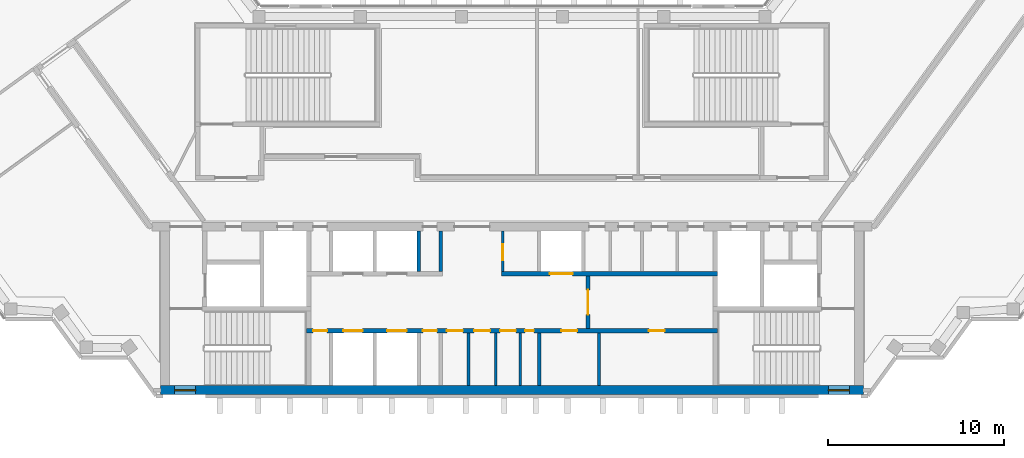
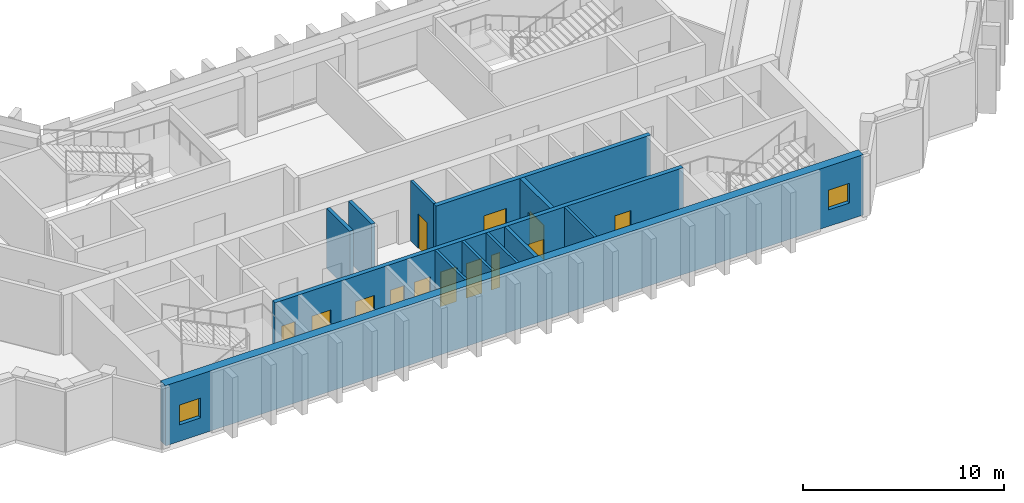
# One storey, part 5 of 9: 13 doors, 12 walls, 2 windows, 15 openings.
"""IFC4 building model written with IfcOpenShell, lengths in metres."""

from ifc_helpers import new_model, si_unit, direction, frame, frame_2d, origin, place, context, subcontext, project, spatial, rectangle, extrude, material, layer, layer_set, type_object, element, fill, save


model = new_model("IFC4")

# Units and contexts
model_context = context("Model", 3, precision=1e-05, world=origin(), true_north=direction((0.0, 1.0)))
body_context = subcontext(model_context, "Body", "Model", "MODEL_VIEW")
ifc_project = project(units=[si_unit("LENGTHUNIT", "METRE"), si_unit("AREAUNIT", "SQUARE_METRE"), si_unit("VOLUMEUNIT", "CUBIC_METRE"), si_unit("PLANEANGLEUNIT", "RADIAN"), si_unit("MASSUNIT", "GRAM", prefix="KILO")], contexts=[model_context])

# Site, building, storey
site_placement = place(None, origin())
site = spatial("IfcSite", under=ifc_project, at=site_placement, CompositionType="ELEMENT")
building_placement = place(site_placement, origin())
building = spatial("IfcBuilding", under=site, at=building_placement, Name="Quipu Civic Tower", CompositionType="ELEMENT")
storey_placement = place(building_placement, frame((0.0, 0.0, 293.0)))
storey = spatial("IfcBuildingStorey", under=building, at=storey_placement, Name="L68", CompositionType="ELEMENT", Elevation=293.0)

# Wall, openings, doors
ifc_material_1 = material(Name="Concrete C70/85", Category="concrete")
ifc_layer_1 = layer(ifc_material_1, 0.25)
ifc_layer_set_1 = layer_set([ifc_layer_1], Name="Concrete C70/85")
wall_type_1 = type_object("IfcWallType", Name="Core wall 250", PredefinedType="SHEAR", material=ifc_layer_set_1)
wall_1_placement = place(storey_placement, frame((11.699951171875, -7.375, 0.0), z_axis=(0.0, 0.0, 1.0), x_axis=(-1.0, 0.0, 0.0)))
wall_1 = element("IfcWall", 1, at=wall_1_placement, inside=storey, type_object=wall_type_1, Name="Core wall", PredefinedType="SHEAR", context=body_context, shape_type="SweptSolid", body=[
    extrude(rectangle(XDim=23.39990234375, YDim=0.25, at=frame_2d((11.699951171875, 0.0))), origin(), (0.0, 0.0, 1.0), 3.64990234375),
])
opening_1_placement = place(wall_1_placement, frame((22.22509765625, 0.0, 0.0)))
opening_1 = element("IfcOpeningElement", 2, at=opening_1_placement, cuts=wall_1, Name="Opening CD-01", PredefinedType="OPENING", context=body_context, shape_type="SweptSolid", body=[
    extrude(rectangle(XDim=0.800048828125, YDim=2.10009765625, at=frame_2d((0.39990234375, 1.050048828125))), frame((0.0, 0.135009765625, 0.0), z_axis=(0.0, -1.0, 0.0), x_axis=(1.0, 0.0, 0.0)), (0.0, 0.0, 1.0), 0.27001953125),
])
opening_2_placement = place(wall_1_placement, frame((20.199951171875, 0.0, 0.0)))
opening_2 = element("IfcOpeningElement", 3, at=opening_2_placement, cuts=wall_1, Name="Opening LD-HL1", PredefinedType="OPENING", context=body_context, shape_type="SweptSolid", body=[
    extrude(rectangle(XDim=1.10009765625, YDim=2.10009765625, at=frame_2d((0.550048828125, 1.050048828125))), frame((0.0, 0.135009765625, 0.0), z_axis=(0.0, -1.0, 0.0), x_axis=(1.0, 0.0, 0.0)), (0.0, 0.0, 1.0), 0.27001953125),
])
opening_3_placement = place(wall_1_placement, frame((17.699951171875, 0.0, 0.0)))
opening_3 = element("IfcOpeningElement", 4, at=opening_3_placement, cuts=wall_1, Name="Opening LD-HL2", PredefinedType="OPENING", context=body_context, shape_type="SweptSolid", body=[
    extrude(rectangle(XDim=1.10009765625, YDim=2.10009765625, at=frame_2d((0.550048828125, 1.050048828125))), frame((0.0, 0.135009765625, 0.0), z_axis=(0.0, -1.0, 0.0), x_axis=(1.0, 0.0, 0.0)), (0.0, 0.0, 1.0), 0.27001953125),
])
opening_4_placement = place(wall_1_placement, frame((15.97509765625, 0.0, 0.0)))
opening_4 = element("IfcOpeningElement", 5, at=opening_4_placement, cuts=wall_1, Name="Opening CD-02", PredefinedType="OPENING", context=body_context, shape_type="SweptSolid", body=[
    extrude(rectangle(XDim=0.800048828125, YDim=2.10009765625, at=frame_2d((0.39990234375, 1.050048828125))), frame((0.0, 0.135009765625, 0.0), z_axis=(0.0, -1.0, 0.0), x_axis=(1.0, 0.0, 0.0)), (0.0, 0.0, 1.0), 0.27001953125),
])
opening_5_placement = place(wall_1_placement, frame((14.5, 0.0, 0.0)))
opening_5 = element("IfcOpeningElement", 6, at=opening_5_placement, cuts=wall_1, Name="Opening CD-03", PredefinedType="OPENING", context=body_context, shape_type="SweptSolid", body=[
    extrude(rectangle(XDim=0.89990234375, YDim=2.10009765625, at=frame_2d((0.449951171875, 1.050048828125))), frame((0.0, 0.135009765625, 0.0), z_axis=(0.0, -1.0, 0.0), x_axis=(1.0, 0.0, 0.0)), (0.0, 0.0, 1.0), 0.27001953125),
])
opening_6_placement = place(wall_1_placement, frame((12.949951171875, 0.0, 0.0)))
opening_6 = element("IfcOpeningElement", 7, at=opening_6_placement, cuts=wall_1, Name="Opening CD-04", PredefinedType="OPENING", context=body_context, shape_type="SweptSolid", body=[
    extrude(rectangle(XDim=0.89990234375, YDim=2.10009765625, at=frame_2d((0.449951171875, 1.050048828125))), frame((0.0, 0.135009765625, 0.0), z_axis=(0.0, -1.0, 0.0), x_axis=(1.0, 0.0, 0.0)), (0.0, 0.0, 1.0), 0.27001953125),
])
opening_7_placement = place(wall_1_placement, frame((11.47509765625, 0.0, 0.0)))
opening_7 = element("IfcOpeningElement", 8, at=opening_7_placement, cuts=wall_1, Name="Opening CD-05", PredefinedType="OPENING", context=body_context, shape_type="SweptSolid", body=[
    extrude(rectangle(XDim=0.89990234375, YDim=2.10009765625, at=frame_2d((0.449951171875, 1.050048828125))), frame((0.0, 0.135009765625, 0.0), z_axis=(0.0, -1.0, 0.0), x_axis=(1.0, 0.0, 0.0)), (0.0, 0.0, 1.0), 0.27001953125),
])
opening_8_placement = place(wall_1_placement, frame((10.449951171875, 0.0, 0.0)))
opening_8 = element("IfcOpeningElement", 9, at=opening_8_placement, cuts=wall_1, Name="Opening CD-06", PredefinedType="OPENING", context=body_context, shape_type="SweptSolid", body=[
    extrude(rectangle(XDim=0.5, YDim=2.10009765625, at=frame_2d((0.25, 1.050048828125))), frame((0.0, 0.135009765625, 0.0), z_axis=(0.0, -1.0, 0.0), x_axis=(1.0, 0.0, 0.0)), (0.0, 0.0, 1.0), 0.27001953125),
])
opening_9_placement = place(wall_1_placement, frame((7.987060546875, 0.0, 0.0)))
opening_9 = element("IfcOpeningElement", 10, at=opening_9_placement, cuts=wall_1, Name="Opening CD-07", PredefinedType="OPENING", context=body_context, shape_type="SweptSolid", body=[
    extrude(rectangle(XDim=0.89990234375, YDim=2.10009765625, at=frame_2d((0.449951171875, 1.050048828125))), frame((0.0, 0.135009765625, 0.0), z_axis=(0.0, -1.0, 0.0), x_axis=(1.0, 0.0, 0.0)), (0.0, 0.0, 1.0), 0.27001953125),
])
opening_10_placement = place(wall_1_placement, frame((3.011962890625, 0.0, 0.0)))
opening_10 = element("IfcOpeningElement", 11, at=opening_10_placement, cuts=wall_1, Name="Opening CD-08", PredefinedType="OPENING", context=body_context, shape_type="SweptSolid", body=[
    extrude(rectangle(XDim=0.89990234375, YDim=2.10009765625, at=frame_2d((0.449951171875, 1.050048828125))), frame((0.0, 0.135009765625, 0.0), z_axis=(0.0, -1.0, 0.0), x_axis=(1.0, 0.0, 0.0)), (0.0, 0.0, 1.0), 0.27001953125),
])
ifc_material_2 = material(Name="Fire rated steel door", Category="steel")
door_type_1 = type_object("IfcDoorType", Name="Fire door FD60 500 x 2100", OperationType="NOTDEFINED", PredefinedType="DOOR", material=ifc_material_2)
door_1_placement = place(opening_8_placement, origin())
door_1 = element("IfcDoor", 12, at=door_1_placement, inside=storey, type_object=door_type_1, Name="Door", OperationType="SINGLE_SWING_LEFT", OverallHeight=2.10009765625, OverallWidth=0.5, PredefinedType="DOOR", context=body_context, shape_type="SweptSolid", body=[
    extrude(rectangle(XDim=0.5, YDim=2.10009765625, at=frame_2d((0.25, 1.050048828125))), frame((0.0, 0.02490234375, 0.0), z_axis=(0.0, -1.0, 0.0), x_axis=(1.0, 0.0, 0.0)), (0.0, 0.0, 1.0), 0.050048828125),
])
fill(opening_8, door_1)
ifc_material_3 = material(Name="Fire rated steel door", Category="steel")
door_type_2 = type_object("IfcDoorType", Name="Fire door FD60 800 x 2100", OperationType="NOTDEFINED", PredefinedType="DOOR", material=ifc_material_3)
door_2_placement = place(opening_1_placement, origin())
door_2 = element("IfcDoor", 13, at=door_2_placement, inside=storey, type_object=door_type_2, Name="Door", OperationType="SINGLE_SWING_RIGHT", OverallHeight=2.10009765625, OverallWidth=0.800048828125, PredefinedType="DOOR", context=body_context, shape_type="SweptSolid", body=[
    extrude(rectangle(XDim=0.800048828125, YDim=2.10009765625, at=frame_2d((0.39990234375, 1.050048828125))), frame((0.0, 0.02490234375, 0.0), z_axis=(0.0, -1.0, 0.0), x_axis=(1.0, 0.0, 0.0)), (0.0, 0.0, 1.0), 0.050048828125),
])
fill(opening_1, door_2)
door_3_placement = place(opening_4_placement, origin())
door_3 = element("IfcDoor", 14, at=door_3_placement, inside=storey, type_object=door_type_2, Name="Door", OperationType="SINGLE_SWING_RIGHT", OverallHeight=2.10009765625, OverallWidth=0.800048828125, PredefinedType="DOOR", context=body_context, shape_type="SweptSolid", body=[
    extrude(rectangle(XDim=0.800048828125, YDim=2.10009765625, at=frame_2d((0.39990234375, 1.050048828125))), frame((0.0, 0.02490234375, 0.0), z_axis=(0.0, -1.0, 0.0), x_axis=(1.0, 0.0, 0.0)), (0.0, 0.0, 1.0), 0.050048828125),
])
fill(opening_4, door_3)
ifc_material_4 = material(Name="Fire rated steel door", Category="steel")
door_type_3 = type_object("IfcDoorType", Name="Fire door FD60 900 x 2100", OperationType="NOTDEFINED", PredefinedType="DOOR", material=ifc_material_4)
door_4_placement = place(opening_5_placement, origin())
door_4 = element("IfcDoor", 15, at=door_4_placement, inside=storey, type_object=door_type_3, Name="WC door", OperationType="SINGLE_SWING_RIGHT", OverallHeight=2.10009765625, OverallWidth=0.89990234375, PredefinedType="DOOR", context=body_context, shape_type="SweptSolid", body=[
    extrude(rectangle(XDim=0.89990234375, YDim=2.10009765625, at=frame_2d((0.449951171875, 1.050048828125))), frame((0.0, 0.02490234375, 0.0), z_axis=(0.0, -1.0, 0.0), x_axis=(1.0, 0.0, 0.0)), (0.0, 0.0, 1.0), 0.050048828125),
])
fill(opening_5, door_4)
door_5_placement = place(opening_6_placement, origin())
door_5 = element("IfcDoor", 16, at=door_5_placement, inside=storey, type_object=door_type_3, Name="WC door", OperationType="SINGLE_SWING_RIGHT", OverallHeight=2.10009765625, OverallWidth=0.89990234375, PredefinedType="DOOR", context=body_context, shape_type="SweptSolid", body=[
    extrude(rectangle(XDim=0.89990234375, YDim=2.10009765625, at=frame_2d((0.449951171875, 1.050048828125))), frame((0.0, 0.02490234375, 0.0), z_axis=(0.0, -1.0, 0.0), x_axis=(1.0, 0.0, 0.0)), (0.0, 0.0, 1.0), 0.050048828125),
])
fill(opening_6, door_5)
door_6_placement = place(opening_7_placement, origin())
door_6 = element("IfcDoor", 17, at=door_6_placement, inside=storey, type_object=door_type_3, Name="WC door", OperationType="SINGLE_SWING_RIGHT", OverallHeight=2.10009765625, OverallWidth=0.89990234375, PredefinedType="DOOR", context=body_context, shape_type="SweptSolid", body=[
    extrude(rectangle(XDim=0.89990234375, YDim=2.10009765625, at=frame_2d((0.449951171875, 1.050048828125))), frame((0.0, 0.02490234375, 0.0), z_axis=(0.0, -1.0, 0.0), x_axis=(1.0, 0.0, 0.0)), (0.0, 0.0, 1.0), 0.050048828125),
])
fill(opening_7, door_6)
door_7_placement = place(opening_9_placement, origin())
door_7 = element("IfcDoor", 18, at=door_7_placement, inside=storey, type_object=door_type_3, Name="Door", OperationType="SINGLE_SWING_LEFT", OverallHeight=2.10009765625, OverallWidth=0.89990234375, PredefinedType="DOOR", context=body_context, shape_type="SweptSolid", body=[
    extrude(rectangle(XDim=0.89990234375, YDim=2.10009765625, at=frame_2d((0.449951171875, 1.050048828125))), frame((0.0, 0.02490234375, 0.0), z_axis=(0.0, -1.0, 0.0), x_axis=(1.0, 0.0, 0.0)), (0.0, 0.0, 1.0), 0.050048828125),
])
fill(opening_9, door_7)
door_8_placement = place(opening_10_placement, origin())
door_8 = element("IfcDoor", 19, at=door_8_placement, inside=storey, type_object=door_type_3, Name="Door", OperationType="SINGLE_SWING_LEFT", OverallHeight=2.10009765625, OverallWidth=0.89990234375, PredefinedType="DOOR", context=body_context, shape_type="SweptSolid", body=[
    extrude(rectangle(XDim=0.89990234375, YDim=2.10009765625, at=frame_2d((0.449951171875, 1.050048828125))), frame((0.0, 0.02490234375, 0.0), z_axis=(0.0, -1.0, 0.0), x_axis=(1.0, 0.0, 0.0)), (0.0, 0.0, 1.0), 0.050048828125),
])
fill(opening_10, door_8)
ifc_material_5 = material(Name="Stainless steel", Category="steel")
door_type_4 = type_object("IfcDoorType", Name="Lift landing door 1100 x 2100", OperationType="DOUBLE_DOOR_SLIDING", PredefinedType="DOOR", material=ifc_material_5)
door_9_placement = place(opening_2_placement, origin())
door_9 = element("IfcDoor", 20, at=door_9_placement, inside=storey, type_object=door_type_4, Name="Landing door HL1", OperationType="DOUBLE_DOOR_SLIDING", OverallHeight=2.10009765625, OverallWidth=1.10009765625, PredefinedType="DOOR", context=body_context, shape_type="SweptSolid", body=[
    extrude(rectangle(XDim=1.10009765625, YDim=2.10009765625, at=frame_2d((0.550048828125, 1.050048828125))), frame((0.0, 0.02490234375, 0.0), z_axis=(0.0, -1.0, 0.0), x_axis=(1.0, 0.0, 0.0)), (0.0, 0.0, 1.0), 0.050048828125),
])
fill(opening_2, door_9)
door_10_placement = place(opening_3_placement, origin())
door_10 = element("IfcDoor", 21, at=door_10_placement, inside=storey, type_object=door_type_4, Name="Landing door HL2", OperationType="DOUBLE_DOOR_SLIDING", OverallHeight=2.10009765625, OverallWidth=1.10009765625, PredefinedType="DOOR", context=body_context, shape_type="SweptSolid", body=[
    extrude(rectangle(XDim=1.10009765625, YDim=2.10009765625, at=frame_2d((0.550048828125, 1.050048828125))), frame((0.0, 0.02490234375, 0.0), z_axis=(0.0, -1.0, 0.0), x_axis=(1.0, 0.0, 0.0)), (0.0, 0.0, 1.0), 0.050048828125),
])
fill(opening_3, door_10)

# Wall, opening, door
wall_2_placement = place(storey_placement, frame((4.324951171875, -7.25, 0.0), z_axis=(0.0, 0.0, 1.0), x_axis=(0.0, 1.0, 0.0)))
wall_2 = element("IfcWall", 22, at=wall_2_placement, inside=storey, type_object=wall_type_1, Name="Core wall", PredefinedType="SHEAR", context=body_context, shape_type="SweptSolid", body=[
    extrude(rectangle(XDim=3.0, YDim=0.25, at=frame_2d((1.5, 0.0))), origin(), (0.0, 0.0, 1.0), 3.64990234375),
])
opening_11_placement = place(wall_2_placement, frame((0.800048828125, 0.0, 0.0)))
opening_11 = element("IfcOpeningElement", 23, at=opening_11_placement, cuts=wall_2, Name="Opening CD-11", PredefinedType="OPENING", context=body_context, shape_type="SweptSolid", body=[
    extrude(rectangle(XDim=1.39990234375, YDim=2.10009765625, at=frame_2d((0.699951171875, 1.050048828125))), frame((0.0, 0.135009765625, 0.0), z_axis=(0.0, -1.0, 0.0), x_axis=(1.0, 0.0, 0.0)), (0.0, 0.0, 1.0), 0.27001953125),
])
ifc_material_6 = material(Name="Fire rated steel door", Category="steel")
door_type_5 = type_object("IfcDoorType", Name="Fire door FD60 double 1400 x 2100", OperationType="NOTDEFINED", PredefinedType="DOOR", material=ifc_material_6)
door_11_placement = place(opening_11_placement, origin())
door_11 = element("IfcDoor", 24, at=door_11_placement, inside=storey, type_object=door_type_5, Name="Hall door", OperationType="DOUBLE_DOOR_SINGLE_SWING", OverallHeight=2.10009765625, OverallWidth=1.39990234375, PredefinedType="DOOR", context=body_context, shape_type="SweptSolid", body=[
    extrude(rectangle(XDim=1.39990234375, YDim=2.10009765625, at=frame_2d((0.699951171875, 1.050048828125))), frame((0.0, 0.02490234375, 0.0), z_axis=(0.0, -1.0, 0.0), x_axis=(1.0, 0.0, 0.0)), (0.0, 0.0, 1.0), 0.050048828125),
])
fill(opening_11, door_11)

wall_3_placement = place(storey_placement, frame((-0.60009765625, -4.125, 0.0), z_axis=(0.0, 0.0, 1.0), x_axis=(1.0, 0.0, 0.0)))
wall_3 = element("IfcWall", 25, at=wall_3_placement, inside=storey, type_object=wall_type_1, Name="Core wall", PredefinedType="SHEAR", context=body_context, shape_type="SweptSolid", body=[
    extrude(rectangle(XDim=12.300048828125, YDim=0.25, at=frame_2d((6.14990234375, 0.0))), origin(), (0.0, 0.0, 1.0), 3.64990234375),
])
opening_12_placement = place(wall_3_placement, frame((2.75, 0.0, 0.0)))
opening_12 = element("IfcOpeningElement", 26, at=opening_12_placement, cuts=wall_3, Name="Opening LD-FF3", PredefinedType="OPENING", context=body_context, shape_type="SweptSolid", body=[
    extrude(rectangle(XDim=1.300048828125, YDim=2.10009765625, at=frame_2d((0.64990234375, 1.050048828125))), frame((0.0, 0.135009765625, 0.0), z_axis=(0.0, -1.0, 0.0), x_axis=(1.0, 0.0, 0.0)), (0.0, 0.0, 1.0), 0.27001953125),
])
ifc_material_7 = material(Name="Stainless steel", Category="steel")
door_type_6 = type_object("IfcDoorType", Name="Lift landing door 1300 x 2100", OperationType="DOUBLE_DOOR_SLIDING", PredefinedType="DOOR", material=ifc_material_7)
door_12_placement = place(opening_12_placement, origin())
door_12 = element("IfcDoor", 27, at=door_12_placement, inside=storey, type_object=door_type_6, Name="Landing door FF3", OperationType="DOUBLE_DOOR_SLIDING", OverallHeight=2.10009765625, OverallWidth=1.300048828125, PredefinedType="DOOR", context=body_context, shape_type="SweptSolid", body=[
    extrude(rectangle(XDim=1.300048828125, YDim=2.10009765625, at=frame_2d((0.64990234375, 1.050048828125))), frame((0.0, 0.02490234375, 0.0), z_axis=(0.0, -1.0, 0.0), x_axis=(1.0, 0.0, 0.0)), (0.0, 0.0, 1.0), 0.050048828125),
])
fill(opening_12, door_12)

# Wall, openings, windows
ifc_material_8 = material(Name="Concrete C70/85", Category="concrete")
ifc_layer_2 = layer(ifc_material_8, 0.5)
ifc_layer_set_2 = layer_set([ifc_layer_2], Name="Concrete C70/85")
wall_type_2 = type_object("IfcWallType", Name="Core wall 500", PredefinedType="SHEAR", material=ifc_layer_set_2)
wall_4_placement = place(storey_placement, frame((-20.0, -10.75, 0.0), z_axis=(0.0, 0.0, 1.0), x_axis=(1.0, 0.0, 0.0)))
wall_4 = element("IfcWall", 28, at=wall_4_placement, inside=storey, type_object=wall_type_2, Name="Core wall", PredefinedType="SHEAR", context=body_context, shape_type="SweptSolid", body=[
    extrude(rectangle(XDim=40.0, YDim=0.5, at=frame_2d((20.0, 0.0))), origin(), (0.0, 0.0, 1.0), 3.64990234375),
])
opening_13_placement = place(wall_4_placement, frame((0.800048828125, 0.0, 1.0)))
opening_13 = element("IfcOpeningElement", 29, at=opening_13_placement, cuts=wall_4, Name="Opening SV-1", PredefinedType="OPENING", context=body_context, shape_type="SweptSolid", body=[
    extrude(rectangle(XDim=1.199951171875, YDim=1.199951171875, at=frame_2d((0.60009765625, 0.60009765625))), frame((0.0, 0.260009765625, 0.0), z_axis=(0.0, -1.0, 0.0), x_axis=(1.0, 0.0, 0.0)), (0.0, 0.0, 1.0), 0.52001953125),
])
opening_14_placement = place(wall_4_placement, frame((38.0, 0.0, 1.0)))
opening_14 = element("IfcOpeningElement", 30, at=opening_14_placement, cuts=wall_4, Name="Opening SV-2", PredefinedType="OPENING", context=body_context, shape_type="SweptSolid", body=[
    extrude(rectangle(XDim=1.199951171875, YDim=1.199951171875, at=frame_2d((0.60009765625, 0.60009765625))), frame((0.0, 0.260009765625, 0.0), z_axis=(0.0, -1.0, 0.0), x_axis=(1.0, 0.0, 0.0)), (0.0, 0.0, 1.0), 0.52001953125),
])
ifc_material_9 = material(Name="Aluminium louvre", Category="aluminium")
window_type = type_object("IfcWindowType", Name="Stair ventilation louvre 1200 x 1200", PartitioningType="SINGLE_PANEL", PredefinedType="WINDOW", material=ifc_material_9)
window_1_placement = place(opening_13_placement, origin())
window_1 = element("IfcWindow", 31, at=window_1_placement, inside=storey, type_object=window_type, Name="Stair ventilation opening", OverallHeight=1.199951171875, OverallWidth=1.199951171875, PartitioningType="SINGLE_PANEL", PredefinedType="WINDOW", context=body_context, shape_type="SweptSolid", body=[
    extrude(rectangle(XDim=1.199951171875, YDim=1.199951171875, at=frame_2d((0.60009765625, 0.60009765625))), frame((0.0, 0.030029296875, 0.0), z_axis=(0.0, -1.0, 0.0), x_axis=(1.0, 0.0, 0.0)), (0.0, 0.0, 1.0), 0.06005859375),
])
fill(opening_13, window_1)
window_2_placement = place(opening_14_placement, origin())
window_2 = element("IfcWindow", 32, at=window_2_placement, inside=storey, type_object=window_type, Name="Stair ventilation opening", OverallHeight=1.199951171875, OverallWidth=1.199951171875, PartitioningType="SINGLE_PANEL", PredefinedType="WINDOW", context=body_context, shape_type="SweptSolid", body=[
    extrude(rectangle(XDim=1.199951171875, YDim=1.199951171875, at=frame_2d((0.60009765625, 0.60009765625))), frame((0.0, 0.030029296875, 0.0), z_axis=(0.0, -1.0, 0.0), x_axis=(1.0, 0.0, 0.0)), (0.0, 0.0, 1.0), 0.06005859375),
])
fill(opening_14, window_2)

# Walls
ifc_material_10 = material(Name="Gypsum board partition")
ifc_layer_3 = layer(ifc_material_10, 0.14990234375)
ifc_layer_set_3 = layer_set([ifc_layer_3], Name="Gypsum board partition")
wall_type_3 = type_object("IfcWallType", Name="Partition 150", PredefinedType="PARTITIONING", material=ifc_layer_set_3)
for number, where, z_axis, x_axis, name in (
    (33, (-2.47509765625, -10.5, 0.0), (0.0, 0.0, 1.0), (0.0, 1.0, 0.0), "Partition"),
    (34, (-0.925048828125, -10.5, 0.0), (0.0, 0.0, 1.0), (0.0, 1.0, 0.0), "Partition"),
    (35, (0.47509765625, -10.5, 0.0), (0.0, 0.0, 1.0), (0.0, 1.0, 0.0), "Partition"),
    (36, (4.949951171875, -10.5, 0.0), (0.0, 0.0, 1.0), (0.0, 1.0, 0.0), "Partition"),
):
    element("IfcWall", number, at=place(storey_placement, frame(where, z_axis=z_axis, x_axis=x_axis)), inside=storey, type_object=wall_type_3, Name=name, PredefinedType="PARTITIONING", context=body_context, shape_type="SweptSolid", body=[
        extrude(rectangle(XDim=3.0, YDim=0.14990234375, at=frame_2d((1.5, 0.0))), origin(), (0.0, 0.0, 1.0), 3.64990234375),
    ])

# Wall, opening, door
wall_5_placement = place(storey_placement, frame((-0.52490234375, -4.0, 0.0), z_axis=(0.0, 0.0, 1.0), x_axis=(0.0, 1.0, 0.0)))
wall_5 = element("IfcWall", 37, at=wall_5_placement, inside=storey, type_object=wall_type_3, Name="Partition", PredefinedType="PARTITIONING", context=body_context, shape_type="SweptSolid", body=[
    extrude(rectangle(XDim=2.300048828125, YDim=0.14990234375, at=frame_2d((1.14990234375, 0.0))), origin(), (0.0, 0.0, 1.0), 3.64990234375),
])
opening_15_placement = place(wall_5_placement, frame((0.64990234375, 0.0, 0.0)))
opening_15 = element("IfcOpeningElement", 38, at=opening_15_placement, cuts=wall_5, Name="Opening CD-12", PredefinedType="OPENING", context=body_context, shape_type="SweptSolid", body=[
    extrude(rectangle(XDim=0.89990234375, YDim=2.10009765625, at=frame_2d((0.449951171875, 1.050048828125))), frame((0.0, 0.0849609375, 0.0), z_axis=(0.0, -1.0, 0.0), x_axis=(1.0, 0.0, 0.0)), (0.0, 0.0, 1.0), 0.169921875),
])
door_13_placement = place(opening_15_placement, origin())
door_13 = element("IfcDoor", 39, at=door_13_placement, inside=storey, type_object=door_type_3, Name="WC door", OperationType="SINGLE_SWING_LEFT", OverallHeight=2.10009765625, OverallWidth=0.89990234375, PredefinedType="DOOR", context=body_context, shape_type="SweptSolid", body=[
    extrude(rectangle(XDim=0.89990234375, YDim=2.10009765625, at=frame_2d((0.449951171875, 1.050048828125))), frame((0.0, 0.02490234375, 0.0), z_axis=(0.0, -1.0, 0.0), x_axis=(1.0, 0.0, 0.0)), (0.0, 0.0, 1.0), 0.050048828125),
])
fill(opening_15, door_13)

# Walls
ifc_material_11 = material(Name="Concrete C40/50", Category="concrete")
ifc_layer_4 = layer(ifc_material_11, 0.199951171875)
ifc_layer_set_4 = layer_set([ifc_layer_4], Name="Concrete C40/50")
wall_type_4 = type_object("IfcWallType", Name="Shaft wall 200", PredefinedType="SOLIDWALL", material=ifc_layer_set_4)
wall_6_placement = place(storey_placement, frame((1.550048828125, -10.5, 0.0), z_axis=(0.0, 0.0, 1.0), x_axis=(0.0, 1.0, 0.0)))
element("IfcWall", 40, at=wall_6_placement, inside=storey, type_object=wall_type_4, Name="Shaft wall", PredefinedType="SOLIDWALL", context=body_context, shape_type="SweptSolid", body=[
    extrude(rectangle(XDim=3.0, YDim=0.199951171875, at=frame_2d((1.5, 0.0))), origin(), (0.0, 0.0, 1.0), 3.64990234375),
])
for number, where, z_axis, x_axis, name in (
    (41, (-5.300048828125, -4.0, 0.0), (0.0, 0.0, 1.0), (0.0, 1.0, 0.0), "Shaft wall"),
    (42, (-4.050048828125, -4.0, 0.0), (0.0, 0.0, 1.0), (0.0, 1.0, 0.0), "Shaft wall"),
):
    element("IfcWall", number, at=place(storey_placement, frame(where, z_axis=z_axis, x_axis=x_axis)), inside=storey, type_object=wall_type_4, Name=name, PredefinedType="SOLIDWALL", context=body_context, shape_type="SweptSolid", body=[
        extrude(rectangle(XDim=2.300048828125, YDim=0.199951171875, at=frame_2d((1.14990234375, 0.0))), origin(), (0.0, 0.0, 1.0), 3.64990234375),
    ])

save(model, "model.ifc")
